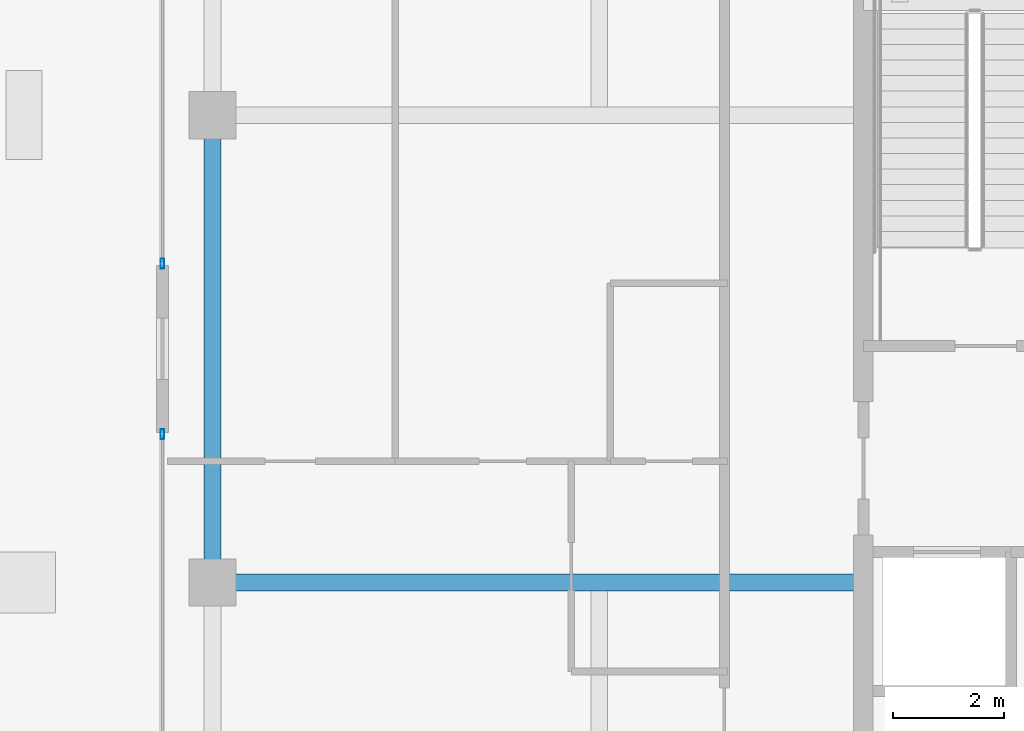
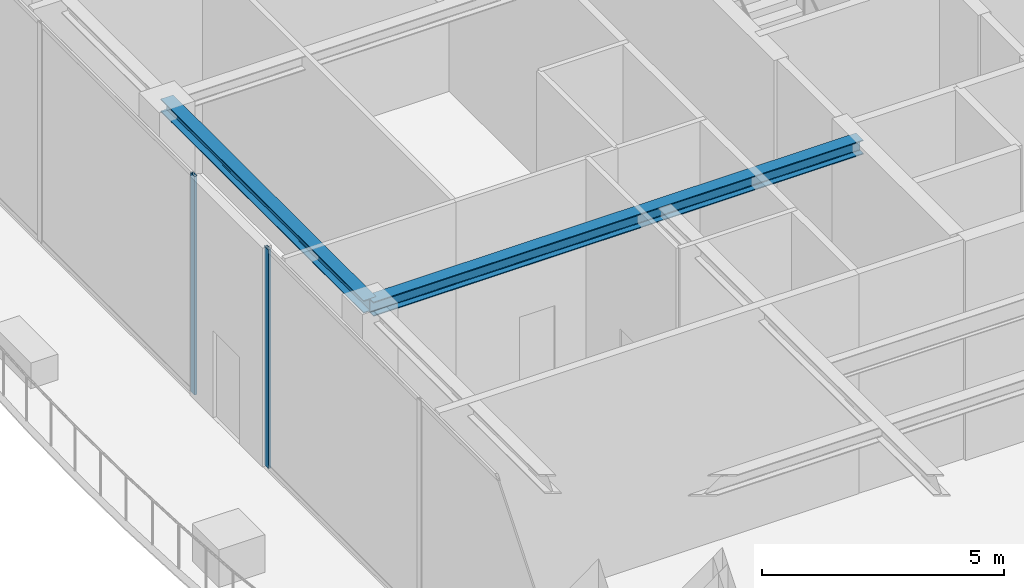
# One storey, part 8 of 38: 2 beams, 2 members, 2 elements without a shape of their own.
"""IFC4 building model written with IfcOpenShell, lengths in metres."""

from ifc_helpers import new_model, si_unit, direction, frame, origin, origin_2d, place, context, subcontext, project, spatial, hollow_rectangle, i_section, extrude, source, transform, mapped, material, layer, layer_set, material_profile, profile_set, type_object, element, aggregate, save


model = new_model("IFC4")

# Units and contexts
model_context = context("Model", 3, precision=1e-05, world=origin(), true_north=direction((0.0, 1.0)))
body_context = subcontext(model_context, "Body", "Model", "MODEL_VIEW")
ifc_project = project(units=[si_unit("LENGTHUNIT", "METRE"), si_unit("AREAUNIT", "SQUARE_METRE"), si_unit("VOLUMEUNIT", "CUBIC_METRE"), si_unit("PLANEANGLEUNIT", "RADIAN"), si_unit("MASSUNIT", "GRAM", prefix="KILO")], contexts=[model_context])

# Site, building, storey
site_placement = place(None, origin())
site = spatial("IfcSite", under=ifc_project, at=site_placement, CompositionType="ELEMENT")
building_placement = place(site_placement, origin())
building = spatial("IfcBuilding", under=site, at=building_placement, Name="Serunith Strait Residences", CompositionType="ELEMENT")
storey_placement = place(building_placement, frame((0.0, 0.0, 353.85009765625)))
storey = spatial("IfcBuildingStorey", under=building, at=storey_placement, Name="L87", CompositionType="ELEMENT", Elevation=353.85009765625)

# Beams
ifc_material_1 = material(Name="Steel S355J2", Category="steel")
ifc_material_profile_1 = material_profile(ifc_material_1, i_section(OverallWidth=0.300048828125, OverallDepth=0.360107421875, WebThickness=0.012451171875, FlangeThickness=0.0224609375, FilletRadius=0.027099609375, at=origin_2d()), Name="HEB 360")
ifc_profile_set_1 = profile_set([ifc_material_profile_1], Name="Steel S355J2")
beam_type_1 = type_object("IfcBeamType", Name="BM-HEB360", PredefinedType="BEAM", material=ifc_profile_set_1)
shared_shape_1 = source(origin(), body_context, "Body", "SweptSolid", [
    extrude(i_section(OverallWidth=0.300048828125, OverallDepth=0.360107421875, WebThickness=0.012451171875, FlangeThickness=0.0224609375, FilletRadius=0.027099609375, at=origin_2d()), origin(), (0.0, 0.0, 1.0), 11.699951171875),
])
beam_1_placement = place(storey_placement, frame((23.39990234375, 21.0, 5.35693359375), z_axis=(-1.0, 0.0, 0.0), x_axis=(0.0, -1.0, 0.0)))
element("IfcBeam", 1, at=beam_1_placement, inside=storey, type_object=beam_type_1, Name="L87 Primary Floor Girder TC-W2", PredefinedType="BEAM", context=body_context, shape_type="MappedRepresentation", body=[
    mapped(shared_shape_1, transform((0.0, 0.0, 0.0), scale=1.0)),
])
ifc_material_profile_2 = material_profile(ifc_material_1, i_section(OverallWidth=0.300048828125, OverallDepth=0.320068359375, WebThickness=0.011474609375, FlangeThickness=0.0205078125, FilletRadius=0.027099609375, at=origin_2d()), Name="HEB 320")
ifc_profile_set_2 = profile_set([ifc_material_profile_2], Name="Steel S355J2")
beam_type_2 = type_object("IfcBeamType", Name="BM-HEB320", PredefinedType="BEAM", material=ifc_profile_set_2)
shared_shape_2 = source(origin(), body_context, "Body", "SweptSolid", [
    extrude(i_section(OverallWidth=0.300048828125, OverallDepth=0.320068359375, WebThickness=0.011474609375, FlangeThickness=0.0205078125, FilletRadius=0.027099609375, at=origin_2d()), origin(), (0.0, 0.0, 1.0), 8.39990234375),
])
beam_2_placement = place(storey_placement, frame((11.699951171875, 29.39990234375, 5.376953125), z_axis=(0.0, -1.0, 0.0), x_axis=(1.0, 0.0, 0.0)))
element("IfcBeam", 2, at=beam_2_placement, inside=storey, type_object=beam_type_2, Name="L87 Perimeter Ring Beam 14", PredefinedType="BEAM", context=body_context, shape_type="MappedRepresentation", body=[
    mapped(shared_shape_2, transform((0.0, 0.0, 0.0), scale=1.0)),
])

# Curtain wall, member
ifc_material_2 = material(Name="Brushed Stainless-Silver Aluminium", Category="aluminium")
ifc_layer = layer(ifc_material_2, 0.199951171875, Name="Brushed Stainless-Silver Aluminium")
ifc_layer_set = layer_set([ifc_layer], Name="Brushed Stainless-Silver Aluminium")
curtain_wall_type = type_object("IfcCurtainWallType", Name="CW-SYS5", PredefinedType="NOTDEFINED", material=ifc_layer_set)
curtain_wall_1_placement = place(storey_placement, origin())
curtain_wall_1 = element("IfcCurtainWall", 3, at=curtain_wall_1_placement, inside=storey, type_object=curtain_wall_type, Name="L87 W Unitised Fritted Curtain Wall", PredefinedType="NOTDEFINED")
ifc_material_profile_3 = material_profile(ifc_material_2, hollow_rectangle(XDim=0.06494140625, YDim=0.179931640625, WallThickness=0.00341796875, InnerFilletRadius=0.00537109375, OuterFilletRadius=0.0087890625, at=origin_2d()), Name="ALU 180x65x3.5")
ifc_profile_set_3 = profile_set([ifc_material_profile_3], Name="Brushed Stainless-Silver Aluminium")
member_type = type_object("IfcMemberType", Name="CW-SYS5-MULL", PredefinedType="MULLION", material=ifc_profile_set_3)
shared_shape_3 = source(origin(), body_context, "Body", "SweptSolid", [
    extrude(hollow_rectangle(XDim=0.06494140625, YDim=0.179931640625, WallThickness=0.00341796875, InnerFilletRadius=0.00537109375, OuterFilletRadius=0.0087890625, at=origin_2d()), origin(), (0.0, 0.0, 1.0), 5.52490234375),
])
member_1_placement = place(storey_placement, frame((10.800048828125, 26.732421875, 0.0), z_axis=(0.0, 0.0, 1.0), x_axis=(1.0, 0.0, 0.0)))
member_1 = element("IfcMember", 4, at=member_1_placement, type_object=member_type, Name="CW-5 mullion 3", PredefinedType="MULLION", context=body_context, shape_type="MappedRepresentation", body=[
    mapped(shared_shape_3, transform((0.0, 0.0, 0.0), scale=1.0)),
])
aggregate(curtain_wall_1, [member_1])

curtain_wall_2_placement = place(storey_placement, origin())
curtain_wall_2 = element("IfcCurtainWall", 5, at=curtain_wall_2_placement, inside=storey, type_object=curtain_wall_type, Name="L87 W Unitised Fritted Curtain Wall", PredefinedType="NOTDEFINED")
member_2_placement = place(storey_placement, frame((10.800048828125, 23.66748046875, 0.0), z_axis=(0.0, 0.0, 1.0), x_axis=(1.0, 0.0, 0.0)))
member_2 = element("IfcMember", 6, at=member_2_placement, type_object=member_type, Name="CW-5 mullion 1", PredefinedType="MULLION", context=body_context, shape_type="MappedRepresentation", body=[
    mapped(shared_shape_3, transform((0.0, 0.0, 0.0), scale=1.0)),
])
aggregate(curtain_wall_2, [member_2])

save(model, "model.ifc")
